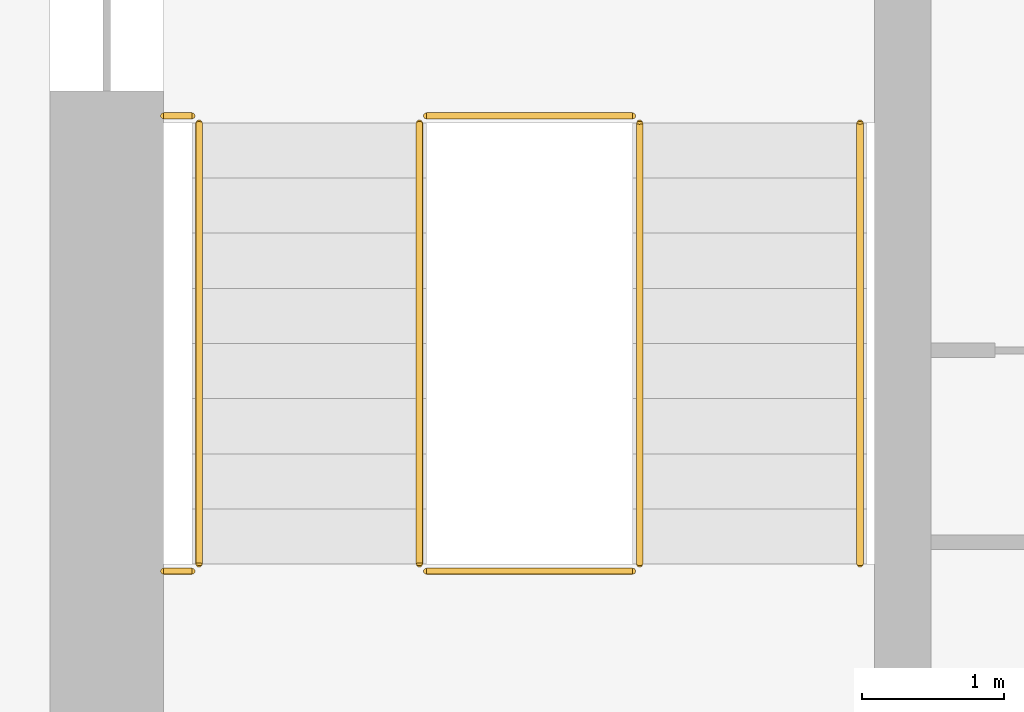
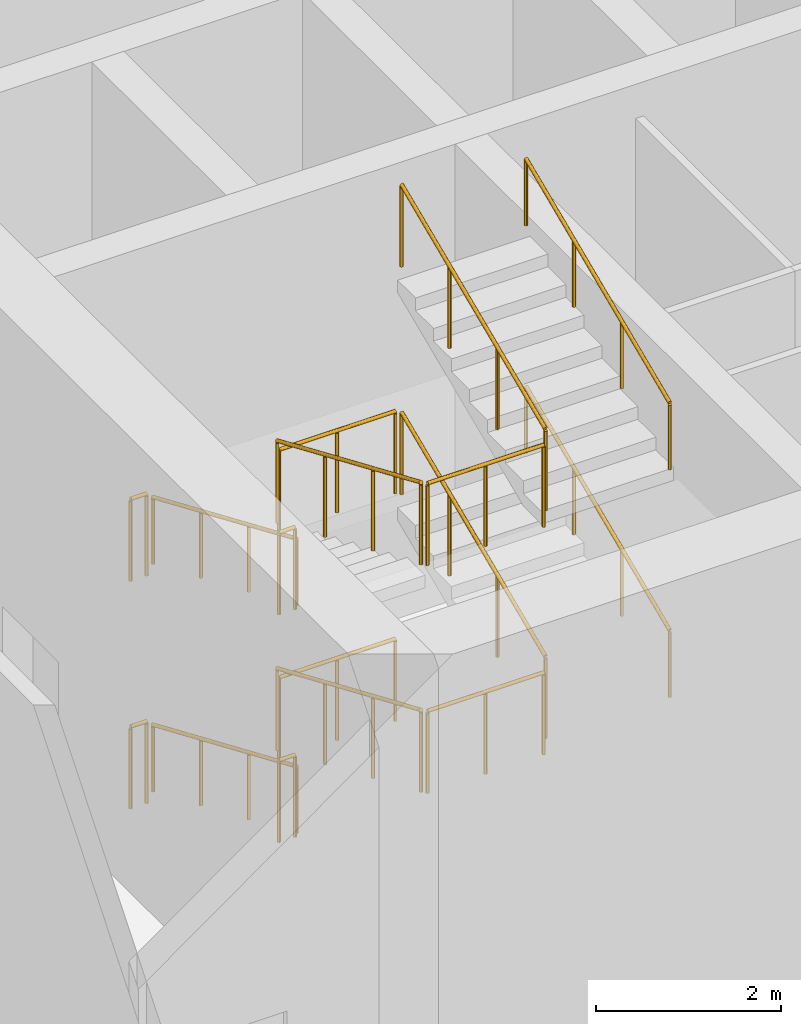
# One storey, part 19 of 25: 16 railings.
"""IFC4 building model written with IfcOpenShell, lengths in metres."""

from ifc_helpers import new_model, si_unit, direction, frame, origin, origin_2d, place, context, subcontext, project, spatial, circle, extrude, material, type_object, element, save


model = new_model("IFC4")

# Units and contexts
model_context = context("Model", 3, precision=1e-05, world=origin(), true_north=direction((0.0, 1.0)))
body_context = subcontext(model_context, "Body", "Model", "MODEL_VIEW")
ifc_project = project(units=[si_unit("LENGTHUNIT", "METRE"), si_unit("AREAUNIT", "SQUARE_METRE"), si_unit("VOLUMEUNIT", "CUBIC_METRE"), si_unit("PLANEANGLEUNIT", "RADIAN"), si_unit("MASSUNIT", "GRAM", prefix="KILO")], contexts=[model_context])

# Site, building, storey
site_placement = place(None, origin())
site = spatial("IfcSite", under=ifc_project, at=site_placement, CompositionType="ELEMENT")
building_placement = place(site_placement, origin())
building = spatial("IfcBuilding", under=site, at=building_placement, Name="Corbel Stack Research Tower", CompositionType="ELEMENT")
storey_placement = place(building_placement, frame((0.0, 0.0, 185.5)))
storey = spatial("IfcBuildingStorey", under=building, at=storey_placement, Name="L42", CompositionType="ELEMENT", Elevation=185.5)

# Railings
ifc_material_1 = material(Name="Steel S355", Category="steel")
railing_type_1 = type_object("IfcRailingType", Name="Stair guard 1100", PredefinedType="GUARDRAIL", material=ifc_material_1)
railing_1_placement = place(storey_placement, frame((-7.89990234375, -2.39990234375, 0.166748046875)))
element("IfcRailing", 1, at=railing_1_placement, inside=storey, type_object=railing_type_1, Name="L42 ST-W1 stair guard 1", PredefinedType="GUARDRAIL", context=body_context, shape_type="SweptSolid", body=[
    extrude(circle(Radius=0.02392578125, at=origin_2d()), frame((0.0, 0.0, 1.076171875), z_axis=(0.0, -0.918826996994, 0.394660549834), x_axis=(1.0, 0.0, 0.0)), (0.0, 0.0, 1.0), 3.378173828125),
    extrude(circle(Radius=0.02099609375, at=origin_2d()), origin(), (0.0, 0.0, 1.0), 1.052001953125),
    extrude(circle(Radius=0.02099609375, at=origin_2d()), frame((0.0, -1.03466796875, 0.4443359375)), (0.0, 0.0, 1.0), 1.052001953125),
    extrude(circle(Radius=0.02099609375, at=origin_2d()), frame((0.0, -2.0693359375, 0.888916015625)), (0.0, 0.0, 1.0), 1.052001953125),
    extrude(circle(Radius=0.02099609375, at=origin_2d()), frame((0.0, -3.10400390625, 1.333251953125)), (0.0, 0.0, 1.0), 1.052001953125),
])
railing_2_placement = place(storey_placement, frame((-7.85009765625, -5.553955078125, 1.5)))
element("IfcRailing", 2, at=railing_2_placement, inside=storey, type_object=railing_type_1, Name="L42 ST-W1 stair guard 2", PredefinedType="GUARDRAIL", context=body_context, shape_type="SweptSolid", body=[
    extrude(circle(Radius=0.02392578125, at=origin_2d()), frame((0.0, 0.0, 1.076171875), z_axis=(1.0, 0.0, 0.0), x_axis=(0.0, 1.0, 0.0)), (0.0, 0.0, 1.0), 1.4501953125),
    extrude(circle(Radius=0.02099609375, at=origin_2d()), origin(), (0.0, 0.0, 1.0), 1.052001953125),
    extrude(circle(Radius=0.02099609375, at=origin_2d()), frame((0.72509765625, 0.0, 0.0)), (0.0, 0.0, 1.0), 1.052001953125),
    extrude(circle(Radius=0.02099609375, at=origin_2d()), frame((1.4501953125, 0.0, 0.0)), (0.0, 0.0, 1.0), 1.052001953125),
])
railing_3_placement = place(storey_placement, frame((-9.699951171875, -5.553955078125, 1.5)))
element("IfcRailing", 3, at=railing_3_placement, inside=storey, type_object=railing_type_1, Name="L42 ST-W1 stair guard 3", PredefinedType="GUARDRAIL", context=body_context, shape_type="SweptSolid", body=[
    extrude(circle(Radius=0.02392578125, at=origin_2d()), frame((0.0, 0.0, 1.076171875), z_axis=(1.0, 0.0, 0.0), x_axis=(0.0, 1.0, 0.0)), (0.0, 0.0, 1.0), 0.199951171875),
    extrude(circle(Radius=0.02099609375, at=origin_2d()), origin(), (0.0, 0.0, 1.0), 1.052001953125),
    extrude(circle(Radius=0.02099609375, at=origin_2d()), frame((0.199951171875, 0.0, 0.0)), (0.0, 0.0, 1.0), 1.052001953125),
])
railing_4_placement = place(storey_placement, frame((-6.35009765625, -5.50390625, 1.666748046875)))
element("IfcRailing", 4, at=railing_4_placement, inside=storey, type_object=railing_type_1, Name="L42 ST-W1 stair guard 4", PredefinedType="GUARDRAIL", context=body_context, shape_type="SweptSolid", body=[
    extrude(circle(Radius=0.02392578125, at=origin_2d()), frame((0.0, 0.0, 1.076171875), z_axis=(0.0, 0.918826996994, 0.394660549834), x_axis=(-1.0, 0.0, 0.0)), (0.0, 0.0, 1.0), 3.378173828125),
    extrude(circle(Radius=0.02099609375, at=origin_2d()), origin(), (0.0, 0.0, 1.0), 1.052001953125),
    extrude(circle(Radius=0.02099609375, at=origin_2d()), frame((0.0, 1.03466796875, 0.4443359375)), (0.0, 0.0, 1.0), 1.052001953125),
    extrude(circle(Radius=0.02099609375, at=origin_2d()), frame((0.0, 2.0693359375, 0.888916015625)), (0.0, 0.0, 1.0), 1.052001953125),
    extrude(circle(Radius=0.02099609375, at=origin_2d()), frame((0.0, 3.10400390625, 1.333251953125)), (0.0, 0.0, 1.0), 1.052001953125),
])
railing_5_placement = place(storey_placement, frame((-7.85009765625, -2.35009765625, 3.0)))
element("IfcRailing", 5, at=railing_5_placement, inside=storey, type_object=railing_type_1, Name="L42 ST-W1 stair guard 5", PredefinedType="GUARDRAIL", context=body_context, shape_type="SweptSolid", body=[
    extrude(circle(Radius=0.02392578125, at=origin_2d()), frame((0.0, 0.0, 1.076171875), z_axis=(1.0, 0.0, 0.0), x_axis=(0.0, 1.0, 0.0)), (0.0, 0.0, 1.0), 1.4501953125),
    extrude(circle(Radius=0.02099609375, at=origin_2d()), origin(), (0.0, 0.0, 1.0), 1.052001953125),
    extrude(circle(Radius=0.02099609375, at=origin_2d()), frame((0.72509765625, 0.0, 0.0)), (0.0, 0.0, 1.0), 1.052001953125),
    extrude(circle(Radius=0.02099609375, at=origin_2d()), frame((1.4501953125, 0.0, 0.0)), (0.0, 0.0, 1.0), 1.052001953125),
])
railing_6_placement = place(storey_placement, frame((-9.699951171875, -2.35009765625, 3.0)))
element("IfcRailing", 6, at=railing_6_placement, inside=storey, type_object=railing_type_1, Name="L42 ST-W1 stair guard 6", PredefinedType="GUARDRAIL", context=body_context, shape_type="SweptSolid", body=[
    extrude(circle(Radius=0.02392578125, at=origin_2d()), frame((0.0, 0.0, 1.076171875), z_axis=(1.0, 0.0, 0.0), x_axis=(0.0, 1.0, 0.0)), (0.0, 0.0, 1.0), 0.199951171875),
    extrude(circle(Radius=0.02099609375, at=origin_2d()), origin(), (0.0, 0.0, 1.0), 1.052001953125),
    extrude(circle(Radius=0.02099609375, at=origin_2d()), frame((0.199951171875, 0.0, 0.0)), (0.0, 0.0, 1.0), 1.052001953125),
])
railing_7_placement = place(storey_placement, frame((-7.89990234375, -2.39990234375, 3.166748046875)))
element("IfcRailing", 7, at=railing_7_placement, inside=storey, type_object=railing_type_1, Name="L42 ST-W1 stair guard 7", PredefinedType="GUARDRAIL", context=body_context, shape_type="SweptSolid", body=[
    extrude(circle(Radius=0.02392578125, at=origin_2d()), frame((0.0, 0.0, 1.076171875), z_axis=(0.0, -0.918826996994, 0.394660549834), x_axis=(1.0, 0.0, 0.0)), (0.0, 0.0, 1.0), 3.378173828125),
    extrude(circle(Radius=0.02099609375, at=origin_2d()), origin(), (0.0, 0.0, 1.0), 1.052001953125),
    extrude(circle(Radius=0.02099609375, at=origin_2d()), frame((0.0, -1.03466796875, 0.4443359375)), (0.0, 0.0, 1.0), 1.052001953125),
    extrude(circle(Radius=0.02099609375, at=origin_2d()), frame((0.0, -2.0693359375, 0.888916015625)), (0.0, 0.0, 1.0), 1.052001953125),
    extrude(circle(Radius=0.02099609375, at=origin_2d()), frame((0.0, -3.10400390625, 1.333251953125)), (0.0, 0.0, 1.0), 1.052001953125),
])
railing_8_placement = place(storey_placement, frame((-7.85009765625, -5.553955078125, 4.5)))
element("IfcRailing", 8, at=railing_8_placement, inside=storey, type_object=railing_type_1, Name="L42 ST-W1 stair guard 8", PredefinedType="GUARDRAIL", context=body_context, shape_type="SweptSolid", body=[
    extrude(circle(Radius=0.02392578125, at=origin_2d()), frame((0.0, 0.0, 1.076171875), z_axis=(1.0, 0.0, 0.0), x_axis=(0.0, 1.0, 0.0)), (0.0, 0.0, 1.0), 1.4501953125),
    extrude(circle(Radius=0.02099609375, at=origin_2d()), origin(), (0.0, 0.0, 1.0), 1.052001953125),
    extrude(circle(Radius=0.02099609375, at=origin_2d()), frame((0.72509765625, 0.0, 0.0)), (0.0, 0.0, 1.0), 1.052001953125),
    extrude(circle(Radius=0.02099609375, at=origin_2d()), frame((1.4501953125, 0.0, 0.0)), (0.0, 0.0, 1.0), 1.052001953125),
])
railing_9_placement = place(storey_placement, frame((-9.699951171875, -5.553955078125, 4.5)))
element("IfcRailing", 9, at=railing_9_placement, inside=storey, type_object=railing_type_1, Name="L42 ST-W1 stair guard 9", PredefinedType="GUARDRAIL", context=body_context, shape_type="SweptSolid", body=[
    extrude(circle(Radius=0.02392578125, at=origin_2d()), frame((0.0, 0.0, 1.076171875), z_axis=(1.0, 0.0, 0.0), x_axis=(0.0, 1.0, 0.0)), (0.0, 0.0, 1.0), 0.199951171875),
    extrude(circle(Radius=0.02099609375, at=origin_2d()), origin(), (0.0, 0.0, 1.0), 1.052001953125),
    extrude(circle(Radius=0.02099609375, at=origin_2d()), frame((0.199951171875, 0.0, 0.0)), (0.0, 0.0, 1.0), 1.052001953125),
])
railing_10_placement = place(storey_placement, frame((-6.35009765625, -5.50390625, 4.666748046875)))
element("IfcRailing", 10, at=railing_10_placement, inside=storey, type_object=railing_type_1, Name="L42 ST-W1 stair guard 10", PredefinedType="GUARDRAIL", context=body_context, shape_type="SweptSolid", body=[
    extrude(circle(Radius=0.02392578125, at=origin_2d()), frame((0.0, 0.0, 1.076171875), z_axis=(0.0, 0.918826996994, 0.394660549834), x_axis=(-1.0, 0.0, 0.0)), (0.0, 0.0, 1.0), 3.378173828125),
    extrude(circle(Radius=0.02099609375, at=origin_2d()), origin(), (0.0, 0.0, 1.0), 1.052001953125),
    extrude(circle(Radius=0.02099609375, at=origin_2d()), frame((0.0, 1.03466796875, 0.4443359375)), (0.0, 0.0, 1.0), 1.052001953125),
    extrude(circle(Radius=0.02099609375, at=origin_2d()), frame((0.0, 2.0693359375, 0.888916015625)), (0.0, 0.0, 1.0), 1.052001953125),
    extrude(circle(Radius=0.02099609375, at=origin_2d()), frame((0.0, 3.10400390625, 1.333251953125)), (0.0, 0.0, 1.0), 1.052001953125),
])
railing_11_placement = place(storey_placement, frame((-7.85009765625, -2.35009765625, 0.0)))
element("IfcRailing", 11, at=railing_11_placement, inside=storey, type_object=railing_type_1, Name="L42 ST-W1 stair guard 11", PredefinedType="GUARDRAIL", context=body_context, shape_type="SweptSolid", body=[
    extrude(circle(Radius=0.02392578125, at=origin_2d()), frame((0.0, 0.0, 1.076171875), z_axis=(1.0, 0.0, 0.0), x_axis=(0.0, 1.0, 0.0)), (0.0, 0.0, 1.0), 1.4501953125),
    extrude(circle(Radius=0.02099609375, at=origin_2d()), origin(), (0.0, 0.0, 1.0), 1.052001953125),
    extrude(circle(Radius=0.02099609375, at=origin_2d()), frame((0.72509765625, 0.0, 0.0)), (0.0, 0.0, 1.0), 1.052001953125),
    extrude(circle(Radius=0.02099609375, at=origin_2d()), frame((1.4501953125, 0.0, 0.0)), (0.0, 0.0, 1.0), 1.052001953125),
])
railing_12_placement = place(storey_placement, frame((-9.699951171875, -2.35009765625, 0.0)))
element("IfcRailing", 12, at=railing_12_placement, inside=storey, type_object=railing_type_1, Name="L42 ST-W1 stair guard 12", PredefinedType="GUARDRAIL", context=body_context, shape_type="SweptSolid", body=[
    extrude(circle(Radius=0.02392578125, at=origin_2d()), frame((0.0, 0.0, 1.076171875), z_axis=(1.0, 0.0, 0.0), x_axis=(0.0, 1.0, 0.0)), (0.0, 0.0, 1.0), 0.199951171875),
    extrude(circle(Radius=0.02099609375, at=origin_2d()), origin(), (0.0, 0.0, 1.0), 1.052001953125),
    extrude(circle(Radius=0.02099609375, at=origin_2d()), frame((0.199951171875, 0.0, 0.0)), (0.0, 0.0, 1.0), 1.052001953125),
])
ifc_material_2 = material(Name="Steel S355", Category="steel")
railing_type_2 = type_object("IfcRailingType", Name="Stair handrail 900", PredefinedType="HANDRAIL", material=ifc_material_2)
railing_13_placement = place(storey_placement, frame((-9.449951171875, -2.39990234375, 0.166748046875)))
element("IfcRailing", 13, at=railing_13_placement, inside=storey, type_object=railing_type_2, Name="L42 ST-W1 stair handrail 1", PredefinedType="HANDRAIL", context=body_context, shape_type="SweptSolid", body=[
    extrude(circle(Radius=0.02392578125, at=origin_2d()), frame((0.0, 0.0, 0.8759765625), z_axis=(0.0, -0.918826996994, 0.394660549834), x_axis=(1.0, 0.0, 0.0)), (0.0, 0.0, 1.0), 3.378173828125),
    extrude(circle(Radius=0.02099609375, at=origin_2d()), origin(), (0.0, 0.0, 1.0), 0.851806640625),
    extrude(circle(Radius=0.02099609375, at=origin_2d()), frame((0.0, -1.03466796875, 0.4443359375)), (0.0, 0.0, 1.0), 0.851806640625),
    extrude(circle(Radius=0.02099609375, at=origin_2d()), frame((0.0, -2.0693359375, 0.888916015625)), (0.0, 0.0, 1.0), 0.851806640625),
    extrude(circle(Radius=0.02099609375, at=origin_2d()), frame((0.0, -3.10400390625, 1.333251953125)), (0.0, 0.0, 1.0), 0.851806640625),
])
railing_14_placement = place(storey_placement, frame((-4.800048828125, -5.50390625, 1.666748046875)))
element("IfcRailing", 14, at=railing_14_placement, inside=storey, type_object=railing_type_2, Name="L42 ST-W1 stair handrail 2", PredefinedType="HANDRAIL", context=body_context, shape_type="SweptSolid", body=[
    extrude(circle(Radius=0.02392578125, at=origin_2d()), frame((0.0, 0.0, 0.8759765625), z_axis=(0.0, 0.918826996994, 0.394660549834), x_axis=(-1.0, 0.0, 0.0)), (0.0, 0.0, 1.0), 3.378173828125),
    extrude(circle(Radius=0.02099609375, at=origin_2d()), origin(), (0.0, 0.0, 1.0), 0.851806640625),
    extrude(circle(Radius=0.02099609375, at=origin_2d()), frame((0.0, 1.03466796875, 0.4443359375)), (0.0, 0.0, 1.0), 0.851806640625),
    extrude(circle(Radius=0.02099609375, at=origin_2d()), frame((0.0, 2.0693359375, 0.888916015625)), (0.0, 0.0, 1.0), 0.851806640625),
    extrude(circle(Radius=0.02099609375, at=origin_2d()), frame((0.0, 3.10400390625, 1.333251953125)), (0.0, 0.0, 1.0), 0.851806640625),
])
railing_15_placement = place(storey_placement, frame((-9.449951171875, -2.39990234375, 3.166748046875)))
element("IfcRailing", 15, at=railing_15_placement, inside=storey, type_object=railing_type_2, Name="L42 ST-W1 stair handrail 3", PredefinedType="HANDRAIL", context=body_context, shape_type="SweptSolid", body=[
    extrude(circle(Radius=0.02392578125, at=origin_2d()), frame((0.0, 0.0, 0.8759765625), z_axis=(0.0, -0.918826996994, 0.394660549834), x_axis=(1.0, 0.0, 0.0)), (0.0, 0.0, 1.0), 3.378173828125),
    extrude(circle(Radius=0.02099609375, at=origin_2d()), origin(), (0.0, 0.0, 1.0), 0.851806640625),
    extrude(circle(Radius=0.02099609375, at=origin_2d()), frame((0.0, -1.03466796875, 0.4443359375)), (0.0, 0.0, 1.0), 0.851806640625),
    extrude(circle(Radius=0.02099609375, at=origin_2d()), frame((0.0, -2.0693359375, 0.888916015625)), (0.0, 0.0, 1.0), 0.851806640625),
    extrude(circle(Radius=0.02099609375, at=origin_2d()), frame((0.0, -3.10400390625, 1.333251953125)), (0.0, 0.0, 1.0), 0.851806640625),
])
railing_16_placement = place(storey_placement, frame((-4.800048828125, -5.50390625, 4.666748046875)))
element("IfcRailing", 16, at=railing_16_placement, inside=storey, type_object=railing_type_2, Name="L42 ST-W1 stair handrail 4", PredefinedType="HANDRAIL", context=body_context, shape_type="SweptSolid", body=[
    extrude(circle(Radius=0.02392578125, at=origin_2d()), frame((0.0, 0.0, 0.8759765625), z_axis=(0.0, 0.918826996994, 0.394660549834), x_axis=(-1.0, 0.0, 0.0)), (0.0, 0.0, 1.0), 3.378173828125),
    extrude(circle(Radius=0.02099609375, at=origin_2d()), origin(), (0.0, 0.0, 1.0), 0.851806640625),
    extrude(circle(Radius=0.02099609375, at=origin_2d()), frame((0.0, 1.03466796875, 0.4443359375)), (0.0, 0.0, 1.0), 0.851806640625),
    extrude(circle(Radius=0.02099609375, at=origin_2d()), frame((0.0, 2.0693359375, 0.888916015625)), (0.0, 0.0, 1.0), 0.851806640625),
    extrude(circle(Radius=0.02099609375, at=origin_2d()), frame((0.0, 3.10400390625, 1.333251953125)), (0.0, 0.0, 1.0), 0.851806640625),
])

save(model, "model.ifc")
